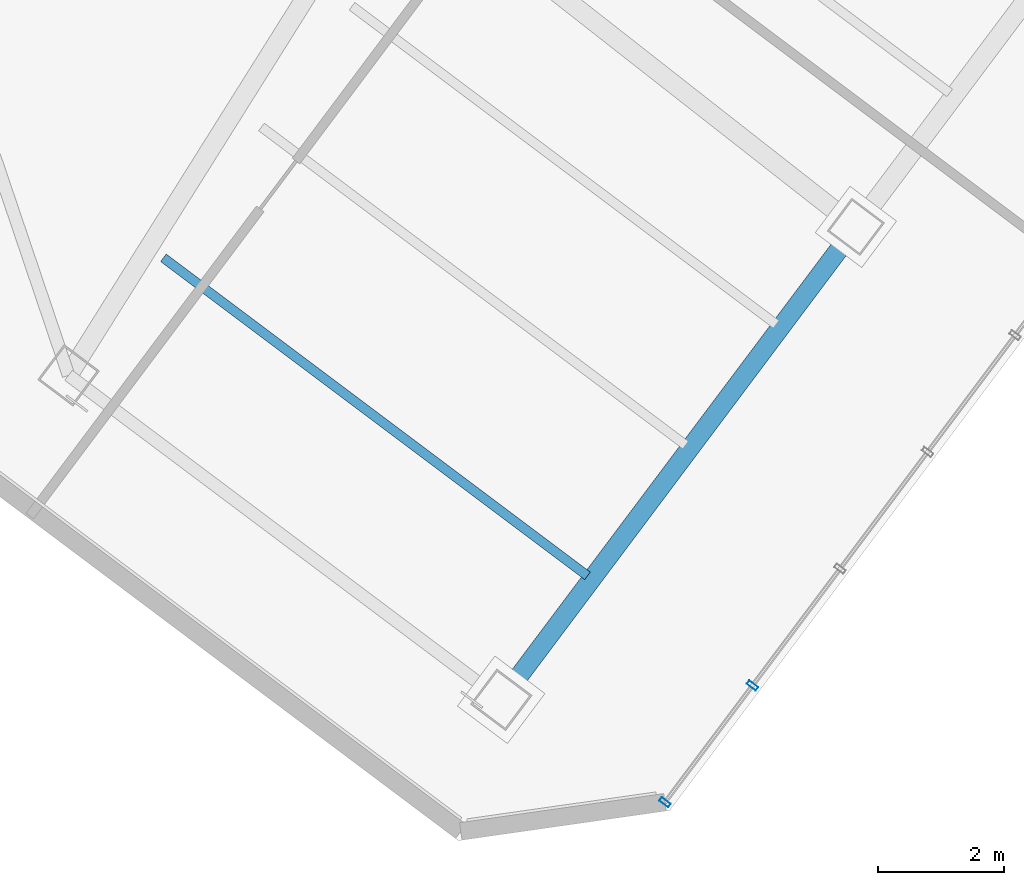
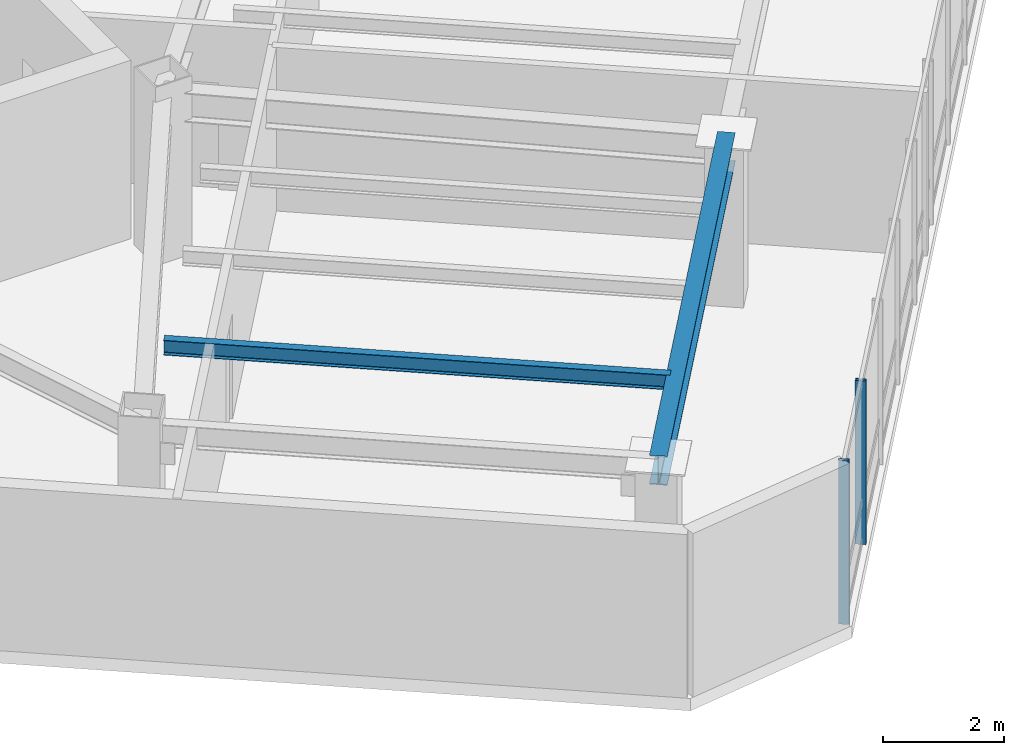
# One storey, part 2 of 25: 2 beams, 2 members, 1 element without a shape of its own.
"""IFC4 building model written with IfcOpenShell, lengths in metres."""

from ifc_helpers import new_model, si_unit, direction, frame, origin, origin_2d, place, context, subcontext, project, spatial, hollow_rectangle, i_section, extrude, material, layer, layer_set, material_profile, profile_set, type_object, element, aggregate, save


model = new_model("IFC4")

# Units and contexts
model_context = context("Model", 3, precision=1e-05, world=origin(), true_north=direction((0.0, 1.0)))
body_context = subcontext(model_context, "Body", "Model", "MODEL_VIEW")
ifc_project = project(units=[si_unit("LENGTHUNIT", "METRE"), si_unit("AREAUNIT", "SQUARE_METRE"), si_unit("VOLUMEUNIT", "CUBIC_METRE"), si_unit("PLANEANGLEUNIT", "RADIAN"), si_unit("MASSUNIT", "GRAM", prefix="KILO")], contexts=[model_context])

# Site, building, storey
site_placement = place(None, origin())
site = spatial("IfcSite", under=ifc_project, at=site_placement, CompositionType="ELEMENT")
building_placement = place(site_placement, origin())
building = spatial("IfcBuilding", under=site, at=building_placement, Name="Hatsunagi Terrace Concourse", CompositionType="ELEMENT")
storey_placement = place(building_placement, frame((0.0, 0.0, 231.14990234375)))
storey = spatial("IfcBuildingStorey", under=building, at=storey_placement, Name="L61", CompositionType="ELEMENT", Elevation=231.14990234375)

# Curtain wall, members
ifc_material_1 = material(Name="Anodised Aluminium Alloy 6063-T5", Category="aluminium")
ifc_layer = layer(ifc_material_1, 0.199951171875)
ifc_layer_set = layer_set([ifc_layer], Name="OfficeZone2_CW04")
curtain_wall_type = type_object("IfcCurtainWallType", Name="OfficeZone2_CW04", PredefinedType="NOTDEFINED", material=ifc_layer_set)
curtain_wall_placement = place(storey_placement, origin())
curtain_wall = element("IfcCurtainWall", 1, at=curtain_wall_placement, inside=storey, type_object=curtain_wall_type, Name="Unitised Curtain Wall CW-04 CW-L61-03", PredefinedType="NOTDEFINED")
ifc_material_2 = material(Name="Anodised Aluminium Alloy 6063-T5", Category="aluminium")
ifc_material_profile_1 = material_profile(ifc_material_2, hollow_rectangle(XDim=0.070068359375, YDim=0.179931640625, WallThickness=0.00390625, at=origin_2d()), Name="ALU-MUL-180x70x4")
ifc_profile_set_1 = profile_set([ifc_material_profile_1], Name="Anodised Aluminium Alloy 6063-T5")
member_type = type_object("IfcMemberType", Name="CurtainWallMullion_180x70", PredefinedType="MULLION", material=ifc_profile_set_1)
member_1_placement = place(storey_placement, frame((49.554931640625, 11.10595703125, 0.0), z_axis=(0.0, 0.0, 1.0), x_axis=(-0.599969314634, -0.800023013105, 0.0)))
member_1 = element("IfcMember", 2, at=member_1_placement, type_object=member_type, Name="Curtain Wall Mullion MUL-02", PredefinedType="MULLION", context=body_context, shape_type="SweptSolid", body=[
    extrude(hollow_rectangle(XDim=0.070068359375, YDim=0.179931640625, WallThickness=0.00390625, at=origin_2d()), origin(), (0.0, 0.0, 1.0), 3.300048828125),
])
member_2_placement = place(storey_placement, frame((48.1630859375, 9.25, 0.0), z_axis=(0.0, 0.0, 1.0), x_axis=(-0.599969314634, -0.800023013105, 0.0)))
member_2 = element("IfcMember", 3, at=member_2_placement, type_object=member_type, Name="Curtain Wall Mullion MUL-02", PredefinedType="MULLION", context=body_context, shape_type="SweptSolid", body=[
    extrude(hollow_rectangle(XDim=0.070068359375, YDim=0.179931640625, WallThickness=0.00390625, at=origin_2d()), origin(), (0.0, 0.0, 1.0), 3.300048828125),
])
aggregate(curtain_wall, [member_1, member_2])

# Beams
ifc_material_3 = material(Name="Steel SN490B", Category="steel")
ifc_material_profile_2 = material_profile(ifc_material_3, i_section(OverallWidth=0.300048828125, OverallDepth=0.587890625, WebThickness=0.011962890625, FlangeThickness=0.02001953125, FilletRadius=0.01806640625, at=origin_2d()), Name="H-588x300x12x20")
ifc_profile_set_2 = profile_set([ifc_material_profile_2], Name="Steel SN490B")
beam_type_1 = type_object("IfcBeamType", Name="OfficeHighGirder_H_588x300", PredefinedType="BEAM", material=ifc_profile_set_2)
beam_1_placement = place(storey_placement, frame((45.56005859375, 10.8798828125, 3.006103515625), z_axis=(0.599991688754, 0.800006233367, 0.0), x_axis=(-0.800006233367, 0.599991688754, 0.0)))
element("IfcBeam", 4, at=beam_1_placement, inside=storey, type_object=beam_type_1, Name="Beam G-06 BM-L61-SET-2A", PredefinedType="BEAM", context=body_context, shape_type="SweptSolid", body=[
    extrude(i_section(OverallWidth=0.300048828125, OverallDepth=0.587890625, WebThickness=0.011962890625, FlangeThickness=0.02001953125, FilletRadius=0.01806640625, at=origin_2d()), origin(), (0.0, 0.0, 1.0), 9.39990234375),
])
ifc_material_4 = material(Name="Steel SN490B", Category="steel")
ifc_material_profile_3 = material_profile(ifc_material_4, i_section(OverallWidth=0.14990234375, OverallDepth=0.300048828125, WebThickness=0.006591796875, FlangeThickness=0.009033203125, FilletRadius=0.010986328125, at=origin_2d()), Name="H-300x150x6.5x9")
ifc_profile_set_3 = profile_set([ifc_material_profile_3], Name="Steel SN490B")
beam_type_2 = type_object("IfcBeamType", Name="OfficeJoist_H_300x150", PredefinedType="JOIST", material=ifc_profile_set_3)
beam_2_placement = place(storey_placement, frame((40.18798828125, 17.908935546875, 3.150146484375), z_axis=(0.800003475366, -0.59999536615, 0.0), x_axis=(0.59999536615, 0.800003475366, 0.0)))
element("IfcBeam", 5, at=beam_2_placement, inside=storey, type_object=beam_type_2, Name="Beam J-03 J-L61-SE-2-46", PredefinedType="JOIST", context=body_context, shape_type="SweptSolid", body=[
    extrude(i_section(OverallWidth=0.14990234375, OverallDepth=0.300048828125, WebThickness=0.006591796875, FlangeThickness=0.009033203125, FilletRadius=0.010986328125, at=origin_2d()), origin(), (0.0, 0.0, 1.0), 8.429931640625),
])

save(model, "model.ifc")
